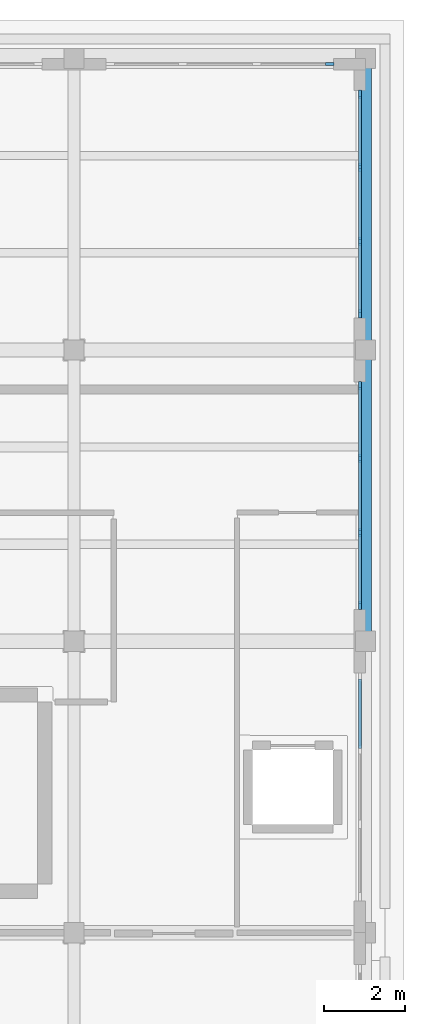
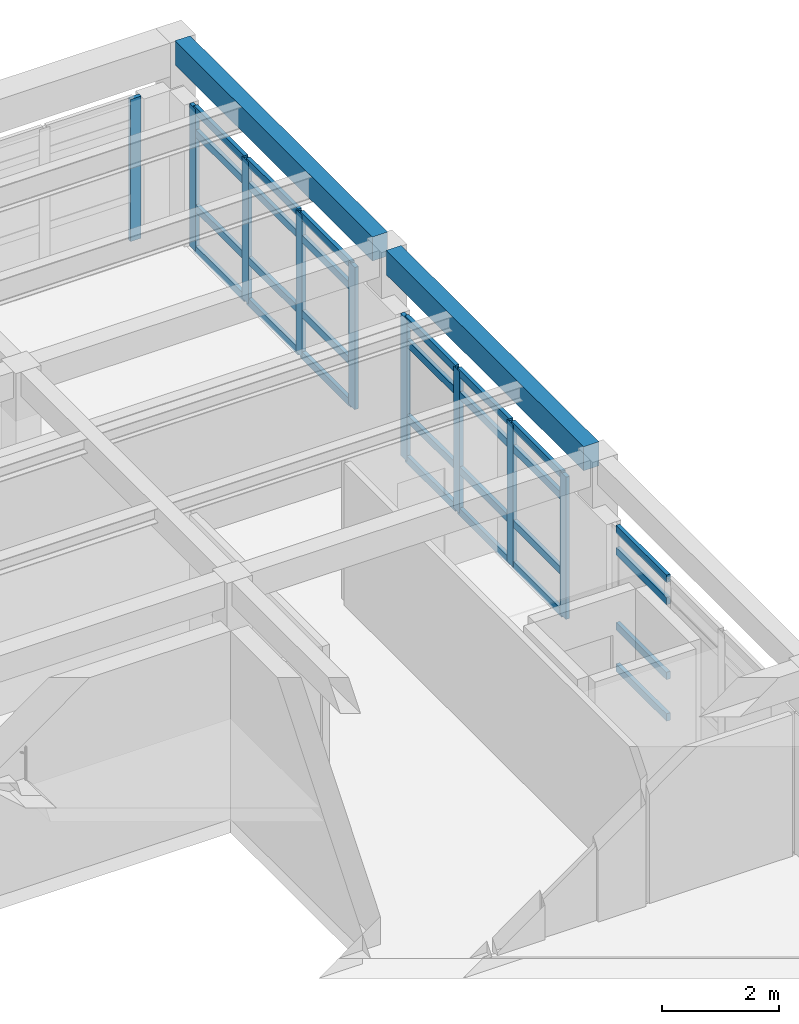
# One storey, part 10 of 20: 37 members, 2 beams, 4 elements without a shape of their own.
"""IFC4 building model written with IfcOpenShell, lengths in metres."""

import ifcopenshell
import ifcopenshell.guid

model = None  # the IFC model being written
_history = None  # IfcOwnerHistory: only IFC2X3 demands one
_inside = {}  # id of a spatial element -> (the spatial element, [elements in it])
_under = {}  # id of a project, library or spatial element -> (it, [spatial elements below it])
_declared = {}  # id of a project -> (the project, [libraries it declares])
_typed = {}  # id of a type object -> (the type object, [elements of that type])
_made_of = {}  # id of a material, layer set ... -> (it, [elements and type objects made of it])


def new_model(schema):
    """Start an empty IFC model of exactly this schema.

    Asked for "IFC4X3", IfcOpenShell would pick the latest addendum, in which some entities
    have other attributes; the version numbers below select the first issue.
    IFC2X3 requires an IfcOwnerHistory on every rooted entity: one is made here for all.
    """
    global model, _history
    if schema == "IFC4X3":
        model = ifcopenshell.file(schema_version=(4, 3, 0, 0))
    else:
        model = ifcopenshell.file(schema=schema)
    _inside.clear()
    _under.clear()
    _declared.clear()
    _typed.clear()
    _made_of.clear()
    _history = None
    if model.schema == "IFC2X3":
        org = make("IfcOrganization", Name="unknown")
        user = make(
            "IfcPersonAndOrganization",
            ThePerson=make("IfcPerson", FamilyName="unknown"),
            TheOrganization=org,
        )
        app = make(
            "IfcApplication",
            ApplicationDeveloper=org,
            Version="unknown",
            ApplicationFullName="unknown",
            ApplicationIdentifier="unknown",
        )
        _history = make(
            "IfcOwnerHistory",
            OwningUser=user,
            OwningApplication=app,
            ChangeAction="ADDED",
            CreationDate=0,
        )
    return model


def make(cls, **values):
    """One entity of the class cls with the attributes given. An attribute that is None is left unset."""
    return model.create_entity(
        cls, **{name: value for name, value in values.items() if value is not None}
    )


def rooted(cls, **values):
    """An entity with a GlobalId (a new one), such as an element, a storey or a relation."""
    return make(cls, GlobalId=ifcopenshell.guid.new(), OwnerHistory=_history, **values)


def si_unit(unit_type, name, prefix=None):
    """IfcSIUnit, for example si_unit("LENGTHUNIT", "METRE", prefix="MILLI")."""
    return make("IfcSIUnit", UnitType=unit_type, Prefix=prefix, Name=name)


def assignment(units):
    """IfcUnitAssignment: the units of a project."""
    return None if units is None else make("IfcUnitAssignment", Units=units)


def point(xyz):
    """IfcCartesianPoint."""
    return None if xyz is None else make("IfcCartesianPoint", Coordinates=xyz)


def direction(xyz):
    """IfcDirection."""
    return None if xyz is None else make("IfcDirection", DirectionRatios=xyz)


def frame(location, z_axis=None, x_axis=None):
    """IfcAxis2Placement3D, a coordinate frame: its origin and axes. An axis left out is left unset."""
    return make(
        "IfcAxis2Placement3D",
        Location=point(location),
        Axis=direction(z_axis),
        RefDirection=direction(x_axis),
    )


def frame_2d(location, x_axis=None):
    """IfcAxis2Placement2D, a coordinate frame in the plane: its origin and x axis."""
    return make(
        "IfcAxis2Placement2D", Location=point(location), RefDirection=direction(x_axis)
    )


def origin():
    """The frame at (0, 0, 0) with its axes left unset."""
    return frame((0.0, 0.0, 0.0))


def origin_2d():
    """The frame at (0, 0) in the plane with its x axis left unset."""
    return frame_2d((0.0, 0.0))


def place(relative_to, where):
    """IfcLocalPlacement: puts the frame where relative to a parent placement (None: the world)."""
    return make(
        "IfcLocalPlacement", PlacementRelTo=relative_to, RelativePlacement=where
    )


def context(
    kind, dimensions, precision=None, world=None, true_north=None, identifier=None
):
    """IfcGeometricRepresentationContext, for example the 3D "Model" context."""
    return make(
        "IfcGeometricRepresentationContext",
        ContextIdentifier=identifier,
        ContextType=kind,
        CoordinateSpaceDimension=dimensions,
        Precision=precision,
        WorldCoordinateSystem=world,
        TrueNorth=true_north,
    )


def subcontext(parent, identifier, kind, view, scale=None):
    """IfcGeometricRepresentationSubContext, for example "Body" below "Model"."""
    return make(
        "IfcGeometricRepresentationSubContext",
        ContextIdentifier=identifier,
        ContextType=kind,
        ParentContext=parent,
        TargetScale=scale,
        TargetView=view,
    )


def project(units=None, contexts=None):
    """IfcProject with its units and contexts."""
    return rooted(
        "IfcProject",
        Name="project",
        RepresentationContexts=contexts,
        UnitsInContext=assignment(units),
    )


def spatial(cls, under=None, at=None, **own):
    """A site, building, storey or space (cls), placed at a placement, below another one or the project."""
    s = rooted(cls, ObjectPlacement=at, **own)
    if under is not None:
        _under.setdefault(under.id(), (under, []))[1].append(s)
    return s


def profile(cls, at=None, kind="AREA", **sizes):
    """A parametric profile (cls). Its sizes go by their IFC names, for example OverallWidth=200.0."""
    return make(cls, ProfileType=kind, Position=at, **sizes)


def rectangle(**sizes):
    """IfcRectangleProfileDef."""
    return profile("IfcRectangleProfileDef", **sizes)


def extrude(swept, where, along, depth):
    """IfcExtrudedAreaSolid: the profile swept, set in the frame where, extruded along a direction by depth."""
    return make(
        "IfcExtrudedAreaSolid",
        SweptArea=swept,
        Position=where,
        ExtrudedDirection=direction(along),
        Depth=depth,
    )


def shape(context_of_items, identifier, shape_type, items):
    """IfcShapeRepresentation: the items that make up one representation, for example the "Body"."""
    return make(
        "IfcShapeRepresentation",
        ContextOfItems=context_of_items,
        RepresentationIdentifier=identifier,
        RepresentationType=shape_type,
        Items=items,
    )


def material(Name=None, Category=None):
    """IfcMaterial."""
    return make("IfcMaterial", Name=Name, Category=Category)


def layer(
    of_material, thickness, ventilated=None, Name=None, Category=None, Priority=None
):
    """IfcMaterialLayer: one layer of a wall or slab, of a material (None: an air gap)."""
    return make(
        "IfcMaterialLayer",
        Material=of_material,
        LayerThickness=thickness,
        IsVentilated=ventilated,
        Name=Name,
        Category=Category,
        Priority=Priority,
    )


def layer_set(layers, Name=None):
    """IfcMaterialLayerSet."""
    return make("IfcMaterialLayerSet", MaterialLayers=layers, LayerSetName=Name)


def material_profile(
    of_material, cross_section, Name=None, Category=None, Priority=None
):
    """IfcMaterialProfile: a cross section and its material."""
    return make(
        "IfcMaterialProfile",
        Name=Name,
        Material=of_material,
        Profile=cross_section,
        Priority=Priority,
        Category=Category,
    )


def profile_set(profiles, Name=None, composite=None):
    """IfcMaterialProfileSet."""
    return make(
        "IfcMaterialProfileSet",
        Name=Name,
        MaterialProfiles=profiles,
        CompositeProfile=composite,
    )


def made_of(thing, what):
    """Note that an element or type object is made of a material, layer set ...; save() writes the relation."""
    if what is not None:
        _made_of.setdefault(what.id(), (what, []))[1].append(thing)
    return thing


def type_object(cls, material=None, **own):
    """A type object (cls), such as IfcWallType, which elements share."""
    return made_of(rooted(cls, **own), material)


def element(
    cls,
    number,
    at=None,
    inside=None,
    cuts=None,
    type_object=None,
    material=None,
    context=None,
    identifier="Body",
    shape_type=None,
    held_by="IfcProductDefinitionShape",
    body=None,
    shapes=None,
    **own,
):
    """One element of the class cls, such as IfcWall. Its Tag is "e" and its number.

    at: its placement. inside: the storey or other place that contains it. cuts: it is an
    opening in that element (IfcRelVoidsElement). A single representation is given by context,
    identifier, shape_type and body (its items); several are given by shapes. held_by: the class
    of the entity that holds the representations. save() writes the other relations.
    """
    e = rooted(cls, Tag="e%d" % number, ObjectPlacement=at, **own)
    if body is not None:
        shapes = [shape(context, identifier, shape_type, body)]
    if shapes is not None:
        e.Representation = make(held_by, Representations=shapes)
    if inside is not None:
        _inside.setdefault(inside.id(), (inside, []))[1].append(e)
    if cuts is not None:
        rooted(
            "IfcRelVoidsElement", RelatingBuildingElement=cuts, RelatedOpeningElement=e
        )
    if type_object is not None:
        _typed.setdefault(type_object.id(), (type_object, []))[1].append(e)
    return made_of(e, material)


def aggregate(whole, parts):
    """IfcRelAggregates: a whole, such as a stair, and the parts it consists of."""
    return rooted("IfcRelAggregates", RelatingObject=whole, RelatedObjects=parts)


def save(model, path):
    """Write the relations noted so far, then the file.

    IfcRelAggregates (storeys below a building ...), IfcRelContainedInSpatialStructure (elements
    in a storey), IfcRelDefinesByType, IfcRelAssociatesMaterial and IfcRelDeclares: one each for
    every whole, place, type object, material and project.
    """
    for whole, parts in _under.values():
        aggregate(whole, parts)
    for where, things in _inside.values():
        rooted(
            "IfcRelContainedInSpatialStructure",
            RelatedElements=things,
            RelatingStructure=where,
        )
    for kind, things in _typed.values():
        rooted("IfcRelDefinesByType", RelatedObjects=things, RelatingType=kind)
    for what, things in _made_of.values():
        rooted("IfcRelAssociatesMaterial", RelatedObjects=things, RelatingMaterial=what)
    for by, libraries in _declared.values():
        rooted("IfcRelDeclares", RelatingContext=by, RelatedDefinitions=libraries)
    model.write(path)


model = new_model("IFC4")

# Units and contexts
model_context = context("Model", 3, precision=1e-05, world=origin(), true_north=direction((0.0, 1.0)))
body_context = subcontext(model_context, "Body", "Model", "MODEL_VIEW")
ifc_project = project(units=[si_unit("LENGTHUNIT", "METRE"), si_unit("AREAUNIT", "SQUARE_METRE"), si_unit("VOLUMEUNIT", "CUBIC_METRE"), si_unit("PLANEANGLEUNIT", "RADIAN"), si_unit("MASSUNIT", "GRAM", prefix="KILO")], contexts=[model_context])

# Site, building, storey
site_placement = place(None, origin())
site = spatial("IfcSite", under=ifc_project, at=site_placement, CompositionType="ELEMENT")
building_placement = place(site_placement, origin())
building = spatial("IfcBuilding", under=site, at=building_placement, Name="Solenvale Faculty of Natural Sciences", CompositionType="ELEMENT")
storey_placement = place(building_placement, frame((0.0, 0.0, 35.39990234375)))
storey = spatial("IfcBuildingStorey", under=building, at=storey_placement, Name="L08", CompositionType="ELEMENT", Elevation=35.39990234375)

# Beams
ifc_material_1 = material(Name="Concrete 40 MPa", Category="concrete")
ifc_material_profile_1 = material_profile(ifc_material_1, rectangle(XDim=0.300048828125, YDim=0.5, at=origin_2d()), Name="RC-BM-300x500")
ifc_profile_set_1 = profile_set([ifc_material_profile_1], Name="Concrete 40 MPa")
beam_type = type_object("IfcBeamType", Name="BM-RC-300x500", PredefinedType="BEAM", material=ifc_profile_set_1)
for number, where, z_axis, x_axis, name in (
    (1, (151.199951171875, 101.030029296875, 3.670166015625), (0.0, 1.0, 0.0), (-1.0, 0.0, 0.0), "L08 Y-Girder X151.2 (100.8..108.0)"),
    (2, (151.199951171875, 108.22998046875, 3.670166015625), (0.0, 1.0, 0.0), (-1.0, 0.0, 0.0), "L08 Y-Girder X151.2 (108.0..115.2)"),
):
    element("IfcBeam", number, at=place(storey_placement, frame(where, z_axis=z_axis, x_axis=x_axis)), inside=storey, type_object=beam_type, Name=name, PredefinedType="BEAM", context=body_context, shape_type="SweptSolid", body=[
        extrude(rectangle(XDim=0.300048828125, YDim=0.5, at=origin_2d()), origin(), (0.0, 0.0, 1.0), 6.739990234375),
    ])

# Curtain wall, members
ifc_material_2 = material(Name="Anodised bronze aluminium", Category="aluminium")
ifc_layer = layer(ifc_material_2, 0.179931640625)
ifc_layer_set = layer_set([ifc_layer], Name="Anodised bronze aluminium")
curtain_wall_type = type_object("IfcCurtainWallType", Name="CW-TWR-MOD", PredefinedType="USERDEFINED", material=ifc_layer_set)
curtain_wall_1_placement = place(storey_placement, origin())
curtain_wall_1 = element("IfcCurtainWall", 3, at=curtain_wall_1_placement, inside=storey, type_object=curtain_wall_type, Name="L08 Curtain Wall CW-L08-P1-E1-B2", ObjectType="UNITISED CURTAIN WALL", PredefinedType="USERDEFINED")
ifc_material_profile_2 = material_profile(ifc_material_2, rectangle(XDim=0.074951171875, YDim=0.2099609375, at=origin_2d()), Name="ALU-MUL-75x210")
ifc_profile_set_2 = profile_set([ifc_material_profile_2], Name="Anodised bronze aluminium")
member_type_1 = type_object("IfcMemberType", Name="CWM-ALU-75x210", PredefinedType="MULLION", material=ifc_profile_set_2)
member_1_placement = place(storey_placement, frame((151.0576171875, 101.6875, 0.0), z_axis=(0.0, 0.0, 1.0), x_axis=(-1.0, 0.0, 0.0)))
member_1 = element("IfcMember", 4, at=member_1_placement, type_object=member_type_1, Name="CW-04 mullion 1", PredefinedType="MULLION", context=body_context, shape_type="SweptSolid", body=[
    extrude(rectangle(XDim=0.074951171875, YDim=0.2099609375, at=origin_2d()), origin(), (0.0, 0.0, 1.0), 2.960205078125),
])
member_2_placement = place(storey_placement, frame((151.0576171875, 103.4833984375, 0.0), z_axis=(0.0, 0.0, 1.0), x_axis=(-1.0, 0.0, 0.0)))
member_2 = element("IfcMember", 5, at=member_2_placement, type_object=member_type_1, Name="CW-04 mullion 2", PredefinedType="MULLION", context=body_context, shape_type="SweptSolid", body=[
    extrude(rectangle(XDim=0.074951171875, YDim=0.2099609375, at=origin_2d()), origin(), (0.0, 0.0, 1.0), 2.960205078125),
])
member_3_placement = place(storey_placement, frame((151.0576171875, 105.316650390625, 0.0), z_axis=(0.0, 0.0, 1.0), x_axis=(-1.0, 0.0, 0.0)))
member_3 = element("IfcMember", 6, at=member_3_placement, type_object=member_type_1, Name="CW-04 mullion 3", PredefinedType="MULLION", context=body_context, shape_type="SweptSolid", body=[
    extrude(rectangle(XDim=0.074951171875, YDim=0.2099609375, at=origin_2d()), origin(), (0.0, 0.0, 1.0), 2.960205078125),
])
member_4_placement = place(storey_placement, frame((151.0576171875, 107.112548828125, 0.0), z_axis=(0.0, 0.0, 1.0), x_axis=(-1.0, 0.0, 0.0)))
member_4 = element("IfcMember", 7, at=member_4_placement, type_object=member_type_1, Name="CW-04 mullion 4", PredefinedType="MULLION", context=body_context, shape_type="SweptSolid", body=[
    extrude(rectangle(XDim=0.074951171875, YDim=0.2099609375, at=origin_2d()), origin(), (0.0, 0.0, 1.0), 2.960205078125),
])

curtain_wall_2_placement = place(storey_placement, origin())
curtain_wall_2 = element("IfcCurtainWall", 8, at=curtain_wall_2_placement, inside=storey, type_object=curtain_wall_type, Name="L08 Curtain Wall CW-L08-P1-E1-B3", ObjectType="UNITISED CURTAIN WALL", PredefinedType="USERDEFINED")
member_5_placement = place(storey_placement, frame((151.0576171875, 108.887451171875, 0.0), z_axis=(0.0, 0.0, 1.0), x_axis=(-1.0, 0.0, 0.0)))
member_5 = element("IfcMember", 9, at=member_5_placement, type_object=member_type_1, Name="CW-04 mullion 1", PredefinedType="MULLION", context=body_context, shape_type="SweptSolid", body=[
    extrude(rectangle(XDim=0.074951171875, YDim=0.2099609375, at=origin_2d()), origin(), (0.0, 0.0, 1.0), 2.960205078125),
])
member_6_placement = place(storey_placement, frame((151.0576171875, 110.683349609375, 0.0), z_axis=(0.0, 0.0, 1.0), x_axis=(-1.0, 0.0, 0.0)))
member_6 = element("IfcMember", 10, at=member_6_placement, type_object=member_type_1, Name="CW-04 mullion 2", PredefinedType="MULLION", context=body_context, shape_type="SweptSolid", body=[
    extrude(rectangle(XDim=0.074951171875, YDim=0.2099609375, at=origin_2d()), origin(), (0.0, 0.0, 1.0), 2.960205078125),
])
member_7_placement = place(storey_placement, frame((151.0576171875, 112.5166015625, 0.0), z_axis=(0.0, 0.0, 1.0), x_axis=(-1.0, 0.0, 0.0)))
member_7 = element("IfcMember", 11, at=member_7_placement, type_object=member_type_1, Name="CW-04 mullion 3", PredefinedType="MULLION", context=body_context, shape_type="SweptSolid", body=[
    extrude(rectangle(XDim=0.074951171875, YDim=0.2099609375, at=origin_2d()), origin(), (0.0, 0.0, 1.0), 2.960205078125),
])
member_8_placement = place(storey_placement, frame((151.0576171875, 114.3125, 0.0), z_axis=(0.0, 0.0, 1.0), x_axis=(-1.0, 0.0, 0.0)))
member_8 = element("IfcMember", 12, at=member_8_placement, type_object=member_type_1, Name="CW-04 mullion 4", PredefinedType="MULLION", context=body_context, shape_type="SweptSolid", body=[
    extrude(rectangle(XDim=0.074951171875, YDim=0.2099609375, at=origin_2d()), origin(), (0.0, 0.0, 1.0), 2.960205078125),
])

# Curtain wall, member
curtain_wall_3_placement = place(storey_placement, origin())
curtain_wall_3 = element("IfcCurtainWall", 13, at=curtain_wall_3_placement, inside=storey, type_object=curtain_wall_type, Name="L08 Curtain Wall CW-L08-P1-E2-B1", ObjectType="UNITISED CURTAIN WALL", PredefinedType="USERDEFINED")
member_9_placement = place(storey_placement, frame((150.3125, 115.0576171875, 0.0), z_axis=(0.0, 0.0, 1.0), x_axis=(0.0, -1.0, 0.0)))
member_9 = element("IfcMember", 14, at=member_9_placement, type_object=member_type_1, Name="CW-04 mullion 1", PredefinedType="MULLION", context=body_context, shape_type="SweptSolid", body=[
    extrude(rectangle(XDim=0.074951171875, YDim=0.2099609375, at=origin_2d()), origin(), (0.0, 0.0, 1.0), 2.960205078125),
])
aggregate(curtain_wall_3, [member_9])

# Curtain wall, members
curtain_wall_4_placement = place(storey_placement, origin())
curtain_wall_4 = element("IfcCurtainWall", 15, at=curtain_wall_4_placement, inside=storey, type_object=curtain_wall_type, Name="L08 Curtain Wall CW-L08-P1-E1-B1", ObjectType="UNITISED CURTAIN WALL", PredefinedType="USERDEFINED")
ifc_material_profile_3 = material_profile(ifc_material_2, rectangle(XDim=0.074951171875, YDim=0.155029296875, at=origin_2d()), Name="ALU-TRN-75x155")
ifc_profile_set_3 = profile_set([ifc_material_profile_3], Name="Anodised bronze aluminium")
member_type_2 = type_object("IfcMemberType", Name="CWT-ALU-75x155", PredefinedType="USERDEFINED", material=ifc_profile_set_3)
member_10_placement = place(storey_placement, frame((151.0576171875, 98.154052734375, 0.03759765625), z_axis=(0.0, 1.0, 0.0), x_axis=(-1.0, 0.0, 0.0)))
member_10 = element("IfcMember", 16, at=member_10_placement, type_object=member_type_2, Name="CW-04 transom 3.1", ObjectType="TRANSOM", PredefinedType="USERDEFINED", context=body_context, shape_type="SweptSolid", body=[
    extrude(rectangle(XDim=0.074951171875, YDim=0.155029296875, at=origin_2d()), origin(), (0.0, 0.0, 1.0), 1.720947265625),
])
member_11_placement = place(storey_placement, frame((151.0576171875, 98.154052734375, 0.900146484375), z_axis=(0.0, 1.0, 0.0), x_axis=(-1.0, 0.0, 0.0)))
member_11 = element("IfcMember", 17, at=member_11_placement, type_object=member_type_2, Name="CW-04 transom 3.2", ObjectType="TRANSOM", PredefinedType="USERDEFINED", context=body_context, shape_type="SweptSolid", body=[
    extrude(rectangle(XDim=0.074951171875, YDim=0.155029296875, at=origin_2d()), origin(), (0.0, 0.0, 1.0), 1.720947265625),
])
member_12_placement = place(storey_placement, frame((151.0576171875, 98.154052734375, 2.460205078125), z_axis=(0.0, 1.0, 0.0), x_axis=(-1.0, 0.0, 0.0)))
member_12 = element("IfcMember", 18, at=member_12_placement, type_object=member_type_2, Name="CW-04 transom 3.3", ObjectType="TRANSOM", PredefinedType="USERDEFINED", context=body_context, shape_type="SweptSolid", body=[
    extrude(rectangle(XDim=0.074951171875, YDim=0.155029296875, at=origin_2d()), origin(), (0.0, 0.0, 1.0), 1.720947265625),
])
member_13_placement = place(storey_placement, frame((151.0576171875, 98.154052734375, 2.922607421875), z_axis=(0.0, 1.0, 0.0), x_axis=(-1.0, 0.0, 0.0)))
member_13 = element("IfcMember", 19, at=member_13_placement, type_object=member_type_2, Name="CW-04 transom 3.4", ObjectType="TRANSOM", PredefinedType="USERDEFINED", context=body_context, shape_type="SweptSolid", body=[
    extrude(rectangle(XDim=0.074951171875, YDim=0.155029296875, at=origin_2d()), origin(), (0.0, 0.0, 1.0), 1.720947265625),
])
aggregate(curtain_wall_4, [member_10, member_11, member_12, member_13])

# Member
member_14_placement = place(storey_placement, frame((151.0576171875, 101.72509765625, 0.03759765625), z_axis=(0.0, 1.0, 0.0), x_axis=(-1.0, 0.0, 0.0)))
member_14 = element("IfcMember", 20, at=member_14_placement, type_object=member_type_2, Name="CW-04 transom 1.1", ObjectType="TRANSOM", PredefinedType="USERDEFINED", context=body_context, shape_type="SweptSolid", body=[
    extrude(rectangle(XDim=0.074951171875, YDim=0.155029296875, at=origin_2d()), origin(), (0.0, 0.0, 1.0), 1.720703125),
])

member_15_placement = place(storey_placement, frame((151.0576171875, 101.72509765625, 0.900146484375), z_axis=(0.0, 1.0, 0.0), x_axis=(-1.0, 0.0, 0.0)))
member_15 = element("IfcMember", 21, at=member_15_placement, type_object=member_type_2, Name="CW-04 transom 1.2", ObjectType="TRANSOM", PredefinedType="USERDEFINED", context=body_context, shape_type="SweptSolid", body=[
    extrude(rectangle(XDim=0.074951171875, YDim=0.155029296875, at=origin_2d()), origin(), (0.0, 0.0, 1.0), 1.720703125),
])

member_16_placement = place(storey_placement, frame((151.0576171875, 101.72509765625, 2.460205078125), z_axis=(0.0, 1.0, 0.0), x_axis=(-1.0, 0.0, 0.0)))
member_16 = element("IfcMember", 22, at=member_16_placement, type_object=member_type_2, Name="CW-04 transom 1.3", ObjectType="TRANSOM", PredefinedType="USERDEFINED", context=body_context, shape_type="SweptSolid", body=[
    extrude(rectangle(XDim=0.074951171875, YDim=0.155029296875, at=origin_2d()), origin(), (0.0, 0.0, 1.0), 1.720703125),
])

member_17_placement = place(storey_placement, frame((151.0576171875, 101.72509765625, 2.922607421875), z_axis=(0.0, 1.0, 0.0), x_axis=(-1.0, 0.0, 0.0)))
member_17 = element("IfcMember", 23, at=member_17_placement, type_object=member_type_2, Name="CW-04 transom 1.4", ObjectType="TRANSOM", PredefinedType="USERDEFINED", context=body_context, shape_type="SweptSolid", body=[
    extrude(rectangle(XDim=0.074951171875, YDim=0.155029296875, at=origin_2d()), origin(), (0.0, 0.0, 1.0), 1.720703125),
])

member_18_placement = place(storey_placement, frame((151.0576171875, 103.520751953125, 0.03759765625), z_axis=(0.0, 1.0, 0.0), x_axis=(-1.0, 0.0, 0.0)))
member_18 = element("IfcMember", 24, at=member_18_placement, type_object=member_type_2, Name="CW-04 transom 2.1", ObjectType="TRANSOM", PredefinedType="USERDEFINED", context=body_context, shape_type="SweptSolid", body=[
    extrude(rectangle(XDim=0.074951171875, YDim=0.155029296875, at=origin_2d()), origin(), (0.0, 0.0, 1.0), 1.75830078125),
])

member_19_placement = place(storey_placement, frame((151.0576171875, 103.520751953125, 0.900146484375), z_axis=(0.0, 1.0, 0.0), x_axis=(-1.0, 0.0, 0.0)))
member_19 = element("IfcMember", 25, at=member_19_placement, type_object=member_type_2, Name="CW-04 transom 2.2", ObjectType="TRANSOM", PredefinedType="USERDEFINED", context=body_context, shape_type="SweptSolid", body=[
    extrude(rectangle(XDim=0.074951171875, YDim=0.155029296875, at=origin_2d()), origin(), (0.0, 0.0, 1.0), 1.75830078125),
])

member_20_placement = place(storey_placement, frame((151.0576171875, 103.520751953125, 2.460205078125), z_axis=(0.0, 1.0, 0.0), x_axis=(-1.0, 0.0, 0.0)))
member_20 = element("IfcMember", 26, at=member_20_placement, type_object=member_type_2, Name="CW-04 transom 2.3", ObjectType="TRANSOM", PredefinedType="USERDEFINED", context=body_context, shape_type="SweptSolid", body=[
    extrude(rectangle(XDim=0.074951171875, YDim=0.155029296875, at=origin_2d()), origin(), (0.0, 0.0, 1.0), 1.75830078125),
])

member_21_placement = place(storey_placement, frame((151.0576171875, 103.520751953125, 2.922607421875), z_axis=(0.0, 1.0, 0.0), x_axis=(-1.0, 0.0, 0.0)))
member_21 = element("IfcMember", 27, at=member_21_placement, type_object=member_type_2, Name="CW-04 transom 2.4", ObjectType="TRANSOM", PredefinedType="USERDEFINED", context=body_context, shape_type="SweptSolid", body=[
    extrude(rectangle(XDim=0.074951171875, YDim=0.155029296875, at=origin_2d()), origin(), (0.0, 0.0, 1.0), 1.75830078125),
])

member_22_placement = place(storey_placement, frame((151.0576171875, 105.354248046875, 0.03759765625), z_axis=(0.0, 1.0, 0.0), x_axis=(-1.0, 0.0, 0.0)))
member_22 = element("IfcMember", 28, at=member_22_placement, type_object=member_type_2, Name="CW-04 transom 3.1", ObjectType="TRANSOM", PredefinedType="USERDEFINED", context=body_context, shape_type="SweptSolid", body=[
    extrude(rectangle(XDim=0.074951171875, YDim=0.155029296875, at=origin_2d()), origin(), (0.0, 0.0, 1.0), 1.720703125),
])

member_23_placement = place(storey_placement, frame((151.0576171875, 105.354248046875, 0.900146484375), z_axis=(0.0, 1.0, 0.0), x_axis=(-1.0, 0.0, 0.0)))
member_23 = element("IfcMember", 29, at=member_23_placement, type_object=member_type_2, Name="CW-04 transom 3.2", ObjectType="TRANSOM", PredefinedType="USERDEFINED", context=body_context, shape_type="SweptSolid", body=[
    extrude(rectangle(XDim=0.074951171875, YDim=0.155029296875, at=origin_2d()), origin(), (0.0, 0.0, 1.0), 1.720703125),
])

member_24_placement = place(storey_placement, frame((151.0576171875, 105.354248046875, 2.460205078125), z_axis=(0.0, 1.0, 0.0), x_axis=(-1.0, 0.0, 0.0)))
member_24 = element("IfcMember", 30, at=member_24_placement, type_object=member_type_2, Name="CW-04 transom 3.3", ObjectType="TRANSOM", PredefinedType="USERDEFINED", context=body_context, shape_type="SweptSolid", body=[
    extrude(rectangle(XDim=0.074951171875, YDim=0.155029296875, at=origin_2d()), origin(), (0.0, 0.0, 1.0), 1.720703125),
])

member_25_placement = place(storey_placement, frame((151.0576171875, 105.354248046875, 2.922607421875), z_axis=(0.0, 1.0, 0.0), x_axis=(-1.0, 0.0, 0.0)))
member_25 = element("IfcMember", 31, at=member_25_placement, type_object=member_type_2, Name="CW-04 transom 3.4", ObjectType="TRANSOM", PredefinedType="USERDEFINED", context=body_context, shape_type="SweptSolid", body=[
    extrude(rectangle(XDim=0.074951171875, YDim=0.155029296875, at=origin_2d()), origin(), (0.0, 0.0, 1.0), 1.720703125),
])

aggregate(curtain_wall_1, [member_1, member_2, member_3, member_4, member_14, member_15, member_16, member_17, member_18, member_19, member_20, member_21, member_22, member_23, member_24, member_25])

member_26_placement = place(storey_placement, frame((151.0576171875, 108.925048828125, 0.03759765625), z_axis=(0.0, 1.0, 0.0), x_axis=(-1.0, 0.0, 0.0)))
member_26 = element("IfcMember", 32, at=member_26_placement, type_object=member_type_2, Name="CW-04 transom 1.1", ObjectType="TRANSOM", PredefinedType="USERDEFINED", context=body_context, shape_type="SweptSolid", body=[
    extrude(rectangle(XDim=0.074951171875, YDim=0.155029296875, at=origin_2d()), origin(), (0.0, 0.0, 1.0), 1.720703125),
])

member_27_placement = place(storey_placement, frame((151.0576171875, 108.925048828125, 0.900146484375), z_axis=(0.0, 1.0, 0.0), x_axis=(-1.0, 0.0, 0.0)))
member_27 = element("IfcMember", 33, at=member_27_placement, type_object=member_type_2, Name="CW-04 transom 1.2", ObjectType="TRANSOM", PredefinedType="USERDEFINED", context=body_context, shape_type="SweptSolid", body=[
    extrude(rectangle(XDim=0.074951171875, YDim=0.155029296875, at=origin_2d()), origin(), (0.0, 0.0, 1.0), 1.720703125),
])

member_28_placement = place(storey_placement, frame((151.0576171875, 108.925048828125, 2.460205078125), z_axis=(0.0, 1.0, 0.0), x_axis=(-1.0, 0.0, 0.0)))
member_28 = element("IfcMember", 34, at=member_28_placement, type_object=member_type_2, Name="CW-04 transom 1.3", ObjectType="TRANSOM", PredefinedType="USERDEFINED", context=body_context, shape_type="SweptSolid", body=[
    extrude(rectangle(XDim=0.074951171875, YDim=0.155029296875, at=origin_2d()), origin(), (0.0, 0.0, 1.0), 1.720703125),
])

member_29_placement = place(storey_placement, frame((151.0576171875, 108.925048828125, 2.922607421875), z_axis=(0.0, 1.0, 0.0), x_axis=(-1.0, 0.0, 0.0)))
member_29 = element("IfcMember", 35, at=member_29_placement, type_object=member_type_2, Name="CW-04 transom 1.4", ObjectType="TRANSOM", PredefinedType="USERDEFINED", context=body_context, shape_type="SweptSolid", body=[
    extrude(rectangle(XDim=0.074951171875, YDim=0.155029296875, at=origin_2d()), origin(), (0.0, 0.0, 1.0), 1.720703125),
])

member_30_placement = place(storey_placement, frame((151.0576171875, 110.720947265625, 0.03759765625), z_axis=(0.0, 1.0, 0.0), x_axis=(-1.0, 0.0, 0.0)))
member_30 = element("IfcMember", 36, at=member_30_placement, type_object=member_type_2, Name="CW-04 transom 2.1", ObjectType="TRANSOM", PredefinedType="USERDEFINED", context=body_context, shape_type="SweptSolid", body=[
    extrude(rectangle(XDim=0.074951171875, YDim=0.155029296875, at=origin_2d()), origin(), (0.0, 0.0, 1.0), 1.75830078125),
])

member_31_placement = place(storey_placement, frame((151.0576171875, 110.720947265625, 0.900146484375), z_axis=(0.0, 1.0, 0.0), x_axis=(-1.0, 0.0, 0.0)))
member_31 = element("IfcMember", 37, at=member_31_placement, type_object=member_type_2, Name="CW-04 transom 2.2", ObjectType="TRANSOM", PredefinedType="USERDEFINED", context=body_context, shape_type="SweptSolid", body=[
    extrude(rectangle(XDim=0.074951171875, YDim=0.155029296875, at=origin_2d()), origin(), (0.0, 0.0, 1.0), 1.75830078125),
])

member_32_placement = place(storey_placement, frame((151.0576171875, 110.720947265625, 2.460205078125), z_axis=(0.0, 1.0, 0.0), x_axis=(-1.0, 0.0, 0.0)))
member_32 = element("IfcMember", 38, at=member_32_placement, type_object=member_type_2, Name="CW-04 transom 2.3", ObjectType="TRANSOM", PredefinedType="USERDEFINED", context=body_context, shape_type="SweptSolid", body=[
    extrude(rectangle(XDim=0.074951171875, YDim=0.155029296875, at=origin_2d()), origin(), (0.0, 0.0, 1.0), 1.75830078125),
])

member_33_placement = place(storey_placement, frame((151.0576171875, 110.720947265625, 2.922607421875), z_axis=(0.0, 1.0, 0.0), x_axis=(-1.0, 0.0, 0.0)))
member_33 = element("IfcMember", 39, at=member_33_placement, type_object=member_type_2, Name="CW-04 transom 2.4", ObjectType="TRANSOM", PredefinedType="USERDEFINED", context=body_context, shape_type="SweptSolid", body=[
    extrude(rectangle(XDim=0.074951171875, YDim=0.155029296875, at=origin_2d()), origin(), (0.0, 0.0, 1.0), 1.75830078125),
])

member_34_placement = place(storey_placement, frame((151.0576171875, 112.55419921875, 0.03759765625), z_axis=(0.0, 1.0, 0.0), x_axis=(-1.0, 0.0, 0.0)))
member_34 = element("IfcMember", 40, at=member_34_placement, type_object=member_type_2, Name="CW-04 transom 3.1", ObjectType="TRANSOM", PredefinedType="USERDEFINED", context=body_context, shape_type="SweptSolid", body=[
    extrude(rectangle(XDim=0.074951171875, YDim=0.155029296875, at=origin_2d()), origin(), (0.0, 0.0, 1.0), 1.720703125),
])

member_35_placement = place(storey_placement, frame((151.0576171875, 112.55419921875, 0.900146484375), z_axis=(0.0, 1.0, 0.0), x_axis=(-1.0, 0.0, 0.0)))
member_35 = element("IfcMember", 41, at=member_35_placement, type_object=member_type_2, Name="CW-04 transom 3.2", ObjectType="TRANSOM", PredefinedType="USERDEFINED", context=body_context, shape_type="SweptSolid", body=[
    extrude(rectangle(XDim=0.074951171875, YDim=0.155029296875, at=origin_2d()), origin(), (0.0, 0.0, 1.0), 1.720703125),
])

member_36_placement = place(storey_placement, frame((151.0576171875, 112.55419921875, 2.460205078125), z_axis=(0.0, 1.0, 0.0), x_axis=(-1.0, 0.0, 0.0)))
member_36 = element("IfcMember", 42, at=member_36_placement, type_object=member_type_2, Name="CW-04 transom 3.3", ObjectType="TRANSOM", PredefinedType="USERDEFINED", context=body_context, shape_type="SweptSolid", body=[
    extrude(rectangle(XDim=0.074951171875, YDim=0.155029296875, at=origin_2d()), origin(), (0.0, 0.0, 1.0), 1.720703125),
])

member_37_placement = place(storey_placement, frame((151.0576171875, 112.55419921875, 2.922607421875), z_axis=(0.0, 1.0, 0.0), x_axis=(-1.0, 0.0, 0.0)))
member_37 = element("IfcMember", 43, at=member_37_placement, type_object=member_type_2, Name="CW-04 transom 3.4", ObjectType="TRANSOM", PredefinedType="USERDEFINED", context=body_context, shape_type="SweptSolid", body=[
    extrude(rectangle(XDim=0.074951171875, YDim=0.155029296875, at=origin_2d()), origin(), (0.0, 0.0, 1.0), 1.720703125),
])

aggregate(curtain_wall_2, [member_5, member_6, member_7, member_8, member_26, member_27, member_28, member_29, member_30, member_31, member_32, member_33, member_34, member_35, member_36, member_37])

save(model, "model.ifc")
